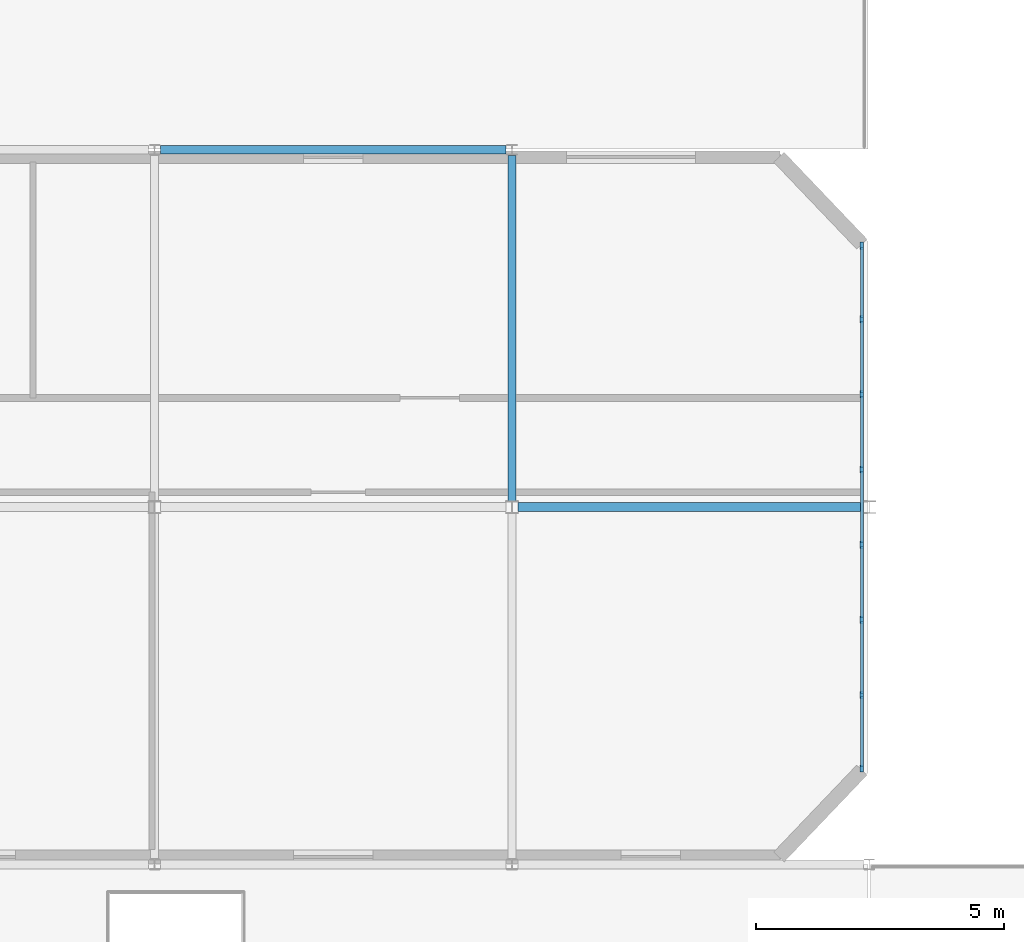
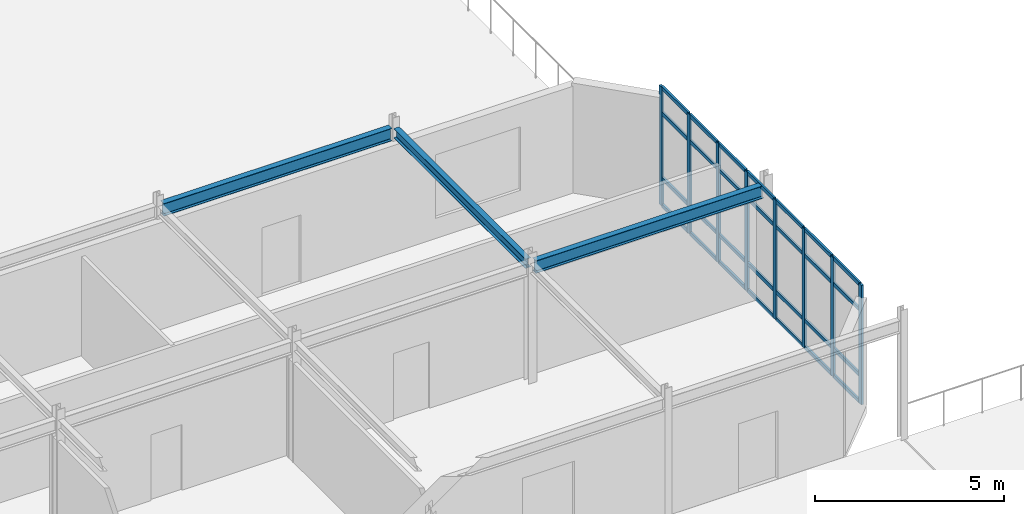
# One storey, part 30 of 85: 36 members, 3 beams, 1 element without a shape of its own.
"""IFC4 building model written with IfcOpenShell, lengths in metres."""

from ifc_helpers import new_model, si_unit, direction, frame, origin, origin_2d, place, context, subcontext, project, spatial, rectangle, i_section, extrude, material, layer, layer_set, material_profile, profile_set, type_object, element, aggregate, save


model = new_model("IFC4")

# Units and contexts
model_context = context("Model", 3, precision=1e-05, world=origin(), true_north=direction((0.0, 1.0)))
body_context = subcontext(model_context, "Body", "Model", "MODEL_VIEW")
ifc_project = project(units=[si_unit("LENGTHUNIT", "METRE"), si_unit("AREAUNIT", "SQUARE_METRE"), si_unit("VOLUMEUNIT", "CUBIC_METRE"), si_unit("PLANEANGLEUNIT", "RADIAN"), si_unit("MASSUNIT", "GRAM", prefix="KILO")], contexts=[model_context])

# Site, building, storey
site_placement = place(None, origin())
site = spatial("IfcSite", under=ifc_project, at=site_placement, CompositionType="ELEMENT")
building_placement = place(site_placement, origin())
building = spatial("IfcBuilding", under=site, at=building_placement, Name="Ochrevale Crest", CompositionType="ELEMENT")
storey_placement = place(building_placement, frame((0.0, 0.0, 4.5)))
storey = spatial("IfcBuildingStorey", under=building, at=storey_placement, Name="L01", CompositionType="ELEMENT", Elevation=4.5)

# Beams
ifc_material_1 = material(Name="Steel S355", Category="steel")
ifc_material_profile_1 = material_profile(ifc_material_1, i_section(OverallWidth=0.1650390625, OverallDepth=0.3037109375, WebThickness=0.006103515625, FlangeThickness=0.01025390625, FilletRadius=0.011474609375, at=origin_2d()), Name="310UB40.4")
ifc_profile_set_1 = profile_set([ifc_material_profile_1], Name="Steel S355")
beam_type_1 = type_object("IfcBeamType", Name="BM-UB310A", PredefinedType="BEAM", material=ifc_profile_set_1)
beam_placement = place(storey_placement, frame((100.800048828125, 86.52001953125, 3.72314453125), z_axis=(0.0, 1.0, 0.0), x_axis=(-1.0, 0.0, 0.0)))
element("IfcBeam", 1, at=beam_placement, inside=storey, type_object=beam_type_1, Name="Nursery L01 transverse steel beam X=100.8", PredefinedType="BEAM", context=body_context, shape_type="SweptSolid", body=[
    extrude(i_section(OverallWidth=0.1650390625, OverallDepth=0.3037109375, WebThickness=0.006103515625, FlangeThickness=0.01025390625, FilletRadius=0.011474609375, at=origin_2d()), origin(), (0.0, 0.0, 1.0), 6.9599609375),
])
ifc_material_profile_2 = material_profile(ifc_material_1, i_section(OverallWidth=0.177734375, OverallDepth=0.406494140625, WebThickness=0.0078125, FlangeThickness=0.0126953125, FilletRadius=0.011474609375, at=origin_2d()), Name="410UB59.7")
ifc_profile_set_2 = profile_set([ifc_material_profile_2], Name="Steel S355")
beam_type_2 = type_object("IfcBeamType", Name="BM-UB410B", PredefinedType="BEAM", material=ifc_profile_set_2)
for number, where, z_axis, x_axis, name in (
    (2, (100.919921875, 86.39990234375, 3.671875), (1.0, 0.0, 0.0), (0.0, 1.0, 0.0), "Nursery L01 steel girder Y=86.4"),
    (3, (93.719970703125, 93.60009765625, 3.671875), (1.0, 0.0, 0.0), (0.0, 1.0, 0.0), "Nursery L01 steel girder Y=93.6"),
):
    element("IfcBeam", number, at=place(storey_placement, frame(where, z_axis=z_axis, x_axis=x_axis)), inside=storey, type_object=beam_type_2, Name=name, PredefinedType="BEAM", context=body_context, shape_type="SweptSolid", body=[
        extrude(i_section(OverallWidth=0.177734375, OverallDepth=0.406494140625, WebThickness=0.0078125, FlangeThickness=0.0126953125, FilletRadius=0.011474609375, at=origin_2d()), origin(), (0.0, 0.0, 1.0), 6.9599609375),
    ])

# Curtain wall, members
ifc_material_2 = material(Name="Anodised aluminium 6063-T5", Category="aluminium")
ifc_layer = layer(ifc_material_2, 0.14990234375)
ifc_layer_set = layer_set([ifc_layer], Name="Anodised aluminium 6063-T5")
curtain_wall_type = type_object("IfcCurtainWallType", Name="CW-NUR-540x385", PredefinedType="NOTDEFINED", material=ifc_layer_set)
curtain_wall_placement = place(storey_placement, origin())
curtain_wall = element("IfcCurtainWall", 4, at=curtain_wall_placement, inside=storey, type_object=curtain_wall_type, Name="Nursery Pavilion E glazed playroom curtain wall", PredefinedType="NOTDEFINED")
ifc_material_profile_3 = material_profile(ifc_material_2, rectangle(XDim=0.06494140625, YDim=0.14990234375, at=origin_2d()), Name="ALU 65x150")
ifc_profile_set_3 = profile_set([ifc_material_profile_3], Name="Anodised aluminium 6063-T5")
member_type_1 = type_object("IfcMemberType", Name="CW-MUL-65x150", PredefinedType="MULLION", material=ifc_profile_set_3)
member_1_placement = place(storey_placement, frame((107.85009765625, 81.132568359375, 0.0), z_axis=(0.0, 0.0, 1.0), x_axis=(-1.0, 0.0, 0.0)))
member_1 = element("IfcMember", 5, at=member_1_placement, type_object=member_type_1, Name="CW10 mullion 1", PredefinedType="MULLION", context=body_context, shape_type="SweptSolid", body=[
    extrude(rectangle(XDim=0.06494140625, YDim=0.14990234375, at=origin_2d()), origin(), (0.0, 0.0, 1.0), 3.85009765625),
])
member_2_placement = place(storey_placement, frame((107.85009765625, 82.6142578125, 0.0), z_axis=(0.0, 0.0, 1.0), x_axis=(-1.0, 0.0, 0.0)))
member_2 = element("IfcMember", 6, at=member_2_placement, type_object=member_type_1, Name="CW10 mullion 2", PredefinedType="MULLION", context=body_context, shape_type="SweptSolid", body=[
    extrude(rectangle(XDim=0.06494140625, YDim=0.14990234375, at=origin_2d()), origin(), (0.0, 0.0, 1.0), 3.85009765625),
])
member_3_placement = place(storey_placement, frame((107.85009765625, 84.128662109375, 0.0), z_axis=(0.0, 0.0, 1.0), x_axis=(-1.0, 0.0, 0.0)))
member_3 = element("IfcMember", 7, at=member_3_placement, type_object=member_type_1, Name="CW10 mullion 3", PredefinedType="MULLION", context=body_context, shape_type="SweptSolid", body=[
    extrude(rectangle(XDim=0.06494140625, YDim=0.14990234375, at=origin_2d()), origin(), (0.0, 0.0, 1.0), 3.85009765625),
])
member_4_placement = place(storey_placement, frame((107.85009765625, 85.642822265625, 0.0), z_axis=(0.0, 0.0, 1.0), x_axis=(-1.0, 0.0, 0.0)))
member_4 = element("IfcMember", 8, at=member_4_placement, type_object=member_type_1, Name="CW10 mullion 4", PredefinedType="MULLION", context=body_context, shape_type="SweptSolid", body=[
    extrude(rectangle(XDim=0.06494140625, YDim=0.14990234375, at=origin_2d()), origin(), (0.0, 0.0, 1.0), 3.85009765625),
])
member_5_placement = place(storey_placement, frame((107.85009765625, 87.1572265625, 0.0), z_axis=(0.0, 0.0, 1.0), x_axis=(-1.0, 0.0, 0.0)))
member_5 = element("IfcMember", 9, at=member_5_placement, type_object=member_type_1, Name="CW10 mullion 5", PredefinedType="MULLION", context=body_context, shape_type="SweptSolid", body=[
    extrude(rectangle(XDim=0.06494140625, YDim=0.14990234375, at=origin_2d()), origin(), (0.0, 0.0, 1.0), 3.85009765625),
])
member_6_placement = place(storey_placement, frame((107.85009765625, 88.67138671875, 0.0), z_axis=(0.0, 0.0, 1.0), x_axis=(-1.0, 0.0, 0.0)))
member_6 = element("IfcMember", 10, at=member_6_placement, type_object=member_type_1, Name="CW10 mullion 6", PredefinedType="MULLION", context=body_context, shape_type="SweptSolid", body=[
    extrude(rectangle(XDim=0.06494140625, YDim=0.14990234375, at=origin_2d()), origin(), (0.0, 0.0, 1.0), 3.85009765625),
])
member_7_placement = place(storey_placement, frame((107.85009765625, 90.185791015625, 0.0), z_axis=(0.0, 0.0, 1.0), x_axis=(-1.0, 0.0, 0.0)))
member_7 = element("IfcMember", 11, at=member_7_placement, type_object=member_type_1, Name="CW10 mullion 7", PredefinedType="MULLION", context=body_context, shape_type="SweptSolid", body=[
    extrude(rectangle(XDim=0.06494140625, YDim=0.14990234375, at=origin_2d()), origin(), (0.0, 0.0, 1.0), 3.85009765625),
])
member_8_placement = place(storey_placement, frame((107.85009765625, 91.66748046875, 0.0), z_axis=(0.0, 0.0, 1.0), x_axis=(-1.0, 0.0, 0.0)))
member_8 = element("IfcMember", 12, at=member_8_placement, type_object=member_type_1, Name="CW10 mullion 8", PredefinedType="MULLION", context=body_context, shape_type="SweptSolid", body=[
    extrude(rectangle(XDim=0.06494140625, YDim=0.14990234375, at=origin_2d()), origin(), (0.0, 0.0, 1.0), 3.85009765625),
])
ifc_material_profile_4 = material_profile(ifc_material_2, rectangle(XDim=0.06005859375, YDim=0.1201171875, at=origin_2d()), Name="ALU 60x120")
ifc_profile_set_4 = profile_set([ifc_material_profile_4], Name="Anodised aluminium 6063-T5")
member_type_2 = type_object("IfcMemberType", Name="CW-TRN-60x120", PredefinedType="USERDEFINED", material=ifc_profile_set_4)
member_9_placement = place(storey_placement, frame((107.85009765625, 81.1650390625, 0.030029296875), z_axis=(0.0, 1.0, 0.0), x_axis=(-1.0, 0.0, 0.0)))
member_9 = element("IfcMember", 13, at=member_9_placement, type_object=member_type_2, Name="CW10 transom 1.1", ObjectType="TRANSOM", PredefinedType="USERDEFINED", context=body_context, shape_type="SweptSolid", body=[
    extrude(rectangle(XDim=0.06005859375, YDim=0.1201171875, at=origin_2d()), origin(), (0.0, 0.0, 1.0), 1.416748046875),
])
member_10_placement = place(storey_placement, frame((107.85009765625, 81.1650390625, 0.89990234375), z_axis=(0.0, 1.0, 0.0), x_axis=(-1.0, 0.0, 0.0)))
member_10 = element("IfcMember", 14, at=member_10_placement, type_object=member_type_2, Name="CW10 transom 1.2", ObjectType="TRANSOM", PredefinedType="USERDEFINED", context=body_context, shape_type="SweptSolid", body=[
    extrude(rectangle(XDim=0.06005859375, YDim=0.1201171875, at=origin_2d()), origin(), (0.0, 0.0, 1.0), 1.416748046875),
])
member_11_placement = place(storey_placement, frame((107.85009765625, 81.1650390625, 3.0), z_axis=(0.0, 1.0, 0.0), x_axis=(-1.0, 0.0, 0.0)))
member_11 = element("IfcMember", 15, at=member_11_placement, type_object=member_type_2, Name="CW10 transom 1.3", ObjectType="TRANSOM", PredefinedType="USERDEFINED", context=body_context, shape_type="SweptSolid", body=[
    extrude(rectangle(XDim=0.06005859375, YDim=0.1201171875, at=origin_2d()), origin(), (0.0, 0.0, 1.0), 1.416748046875),
])
member_12_placement = place(storey_placement, frame((107.85009765625, 81.1650390625, 3.820068359375), z_axis=(0.0, 1.0, 0.0), x_axis=(-1.0, 0.0, 0.0)))
member_12 = element("IfcMember", 16, at=member_12_placement, type_object=member_type_2, Name="CW10 transom 1.4", ObjectType="TRANSOM", PredefinedType="USERDEFINED", context=body_context, shape_type="SweptSolid", body=[
    extrude(rectangle(XDim=0.06005859375, YDim=0.1201171875, at=origin_2d()), origin(), (0.0, 0.0, 1.0), 1.416748046875),
])
member_13_placement = place(storey_placement, frame((107.85009765625, 82.646728515625, 0.030029296875), z_axis=(0.0, 1.0, 0.0), x_axis=(-1.0, 0.0, 0.0)))
member_13 = element("IfcMember", 17, at=member_13_placement, type_object=member_type_2, Name="CW10 transom 2.1", ObjectType="TRANSOM", PredefinedType="USERDEFINED", context=body_context, shape_type="SweptSolid", body=[
    extrude(rectangle(XDim=0.06005859375, YDim=0.1201171875, at=origin_2d()), origin(), (0.0, 0.0, 1.0), 1.449462890625),
])
member_14_placement = place(storey_placement, frame((107.85009765625, 82.646728515625, 0.89990234375), z_axis=(0.0, 1.0, 0.0), x_axis=(-1.0, 0.0, 0.0)))
member_14 = element("IfcMember", 18, at=member_14_placement, type_object=member_type_2, Name="CW10 transom 2.2", ObjectType="TRANSOM", PredefinedType="USERDEFINED", context=body_context, shape_type="SweptSolid", body=[
    extrude(rectangle(XDim=0.06005859375, YDim=0.1201171875, at=origin_2d()), origin(), (0.0, 0.0, 1.0), 1.449462890625),
])
member_15_placement = place(storey_placement, frame((107.85009765625, 82.646728515625, 3.0), z_axis=(0.0, 1.0, 0.0), x_axis=(-1.0, 0.0, 0.0)))
member_15 = element("IfcMember", 19, at=member_15_placement, type_object=member_type_2, Name="CW10 transom 2.3", ObjectType="TRANSOM", PredefinedType="USERDEFINED", context=body_context, shape_type="SweptSolid", body=[
    extrude(rectangle(XDim=0.06005859375, YDim=0.1201171875, at=origin_2d()), origin(), (0.0, 0.0, 1.0), 1.449462890625),
])
member_16_placement = place(storey_placement, frame((107.85009765625, 82.646728515625, 3.820068359375), z_axis=(0.0, 1.0, 0.0), x_axis=(-1.0, 0.0, 0.0)))
member_16 = element("IfcMember", 20, at=member_16_placement, type_object=member_type_2, Name="CW10 transom 2.4", ObjectType="TRANSOM", PredefinedType="USERDEFINED", context=body_context, shape_type="SweptSolid", body=[
    extrude(rectangle(XDim=0.06005859375, YDim=0.1201171875, at=origin_2d()), origin(), (0.0, 0.0, 1.0), 1.449462890625),
])
member_17_placement = place(storey_placement, frame((107.85009765625, 84.1611328125, 0.030029296875), z_axis=(0.0, 1.0, 0.0), x_axis=(-1.0, 0.0, 0.0)))
member_17 = element("IfcMember", 21, at=member_17_placement, type_object=member_type_2, Name="CW10 transom 3.1", ObjectType="TRANSOM", PredefinedType="USERDEFINED", context=body_context, shape_type="SweptSolid", body=[
    extrude(rectangle(XDim=0.06005859375, YDim=0.1201171875, at=origin_2d()), origin(), (0.0, 0.0, 1.0), 1.44921875),
])
member_18_placement = place(storey_placement, frame((107.85009765625, 84.1611328125, 0.89990234375), z_axis=(0.0, 1.0, 0.0), x_axis=(-1.0, 0.0, 0.0)))
member_18 = element("IfcMember", 22, at=member_18_placement, type_object=member_type_2, Name="CW10 transom 3.2", ObjectType="TRANSOM", PredefinedType="USERDEFINED", context=body_context, shape_type="SweptSolid", body=[
    extrude(rectangle(XDim=0.06005859375, YDim=0.1201171875, at=origin_2d()), origin(), (0.0, 0.0, 1.0), 1.44921875),
])
member_19_placement = place(storey_placement, frame((107.85009765625, 84.1611328125, 3.0), z_axis=(0.0, 1.0, 0.0), x_axis=(-1.0, 0.0, 0.0)))
member_19 = element("IfcMember", 23, at=member_19_placement, type_object=member_type_2, Name="CW10 transom 3.3", ObjectType="TRANSOM", PredefinedType="USERDEFINED", context=body_context, shape_type="SweptSolid", body=[
    extrude(rectangle(XDim=0.06005859375, YDim=0.1201171875, at=origin_2d()), origin(), (0.0, 0.0, 1.0), 1.44921875),
])
member_20_placement = place(storey_placement, frame((107.85009765625, 84.1611328125, 3.820068359375), z_axis=(0.0, 1.0, 0.0), x_axis=(-1.0, 0.0, 0.0)))
member_20 = element("IfcMember", 24, at=member_20_placement, type_object=member_type_2, Name="CW10 transom 3.4", ObjectType="TRANSOM", PredefinedType="USERDEFINED", context=body_context, shape_type="SweptSolid", body=[
    extrude(rectangle(XDim=0.06005859375, YDim=0.1201171875, at=origin_2d()), origin(), (0.0, 0.0, 1.0), 1.44921875),
])
member_21_placement = place(storey_placement, frame((107.85009765625, 85.67529296875, 0.030029296875), z_axis=(0.0, 1.0, 0.0), x_axis=(-1.0, 0.0, 0.0)))
member_21 = element("IfcMember", 25, at=member_21_placement, type_object=member_type_2, Name="CW10 transom 4.1", ObjectType="TRANSOM", PredefinedType="USERDEFINED", context=body_context, shape_type="SweptSolid", body=[
    extrude(rectangle(XDim=0.06005859375, YDim=0.1201171875, at=origin_2d()), origin(), (0.0, 0.0, 1.0), 1.449462890625),
])
member_22_placement = place(storey_placement, frame((107.85009765625, 85.67529296875, 0.89990234375), z_axis=(0.0, 1.0, 0.0), x_axis=(-1.0, 0.0, 0.0)))
member_22 = element("IfcMember", 26, at=member_22_placement, type_object=member_type_2, Name="CW10 transom 4.2", ObjectType="TRANSOM", PredefinedType="USERDEFINED", context=body_context, shape_type="SweptSolid", body=[
    extrude(rectangle(XDim=0.06005859375, YDim=0.1201171875, at=origin_2d()), origin(), (0.0, 0.0, 1.0), 1.449462890625),
])
member_23_placement = place(storey_placement, frame((107.85009765625, 85.67529296875, 3.0), z_axis=(0.0, 1.0, 0.0), x_axis=(-1.0, 0.0, 0.0)))
member_23 = element("IfcMember", 27, at=member_23_placement, type_object=member_type_2, Name="CW10 transom 4.3", ObjectType="TRANSOM", PredefinedType="USERDEFINED", context=body_context, shape_type="SweptSolid", body=[
    extrude(rectangle(XDim=0.06005859375, YDim=0.1201171875, at=origin_2d()), origin(), (0.0, 0.0, 1.0), 1.449462890625),
])
member_24_placement = place(storey_placement, frame((107.85009765625, 85.67529296875, 3.820068359375), z_axis=(0.0, 1.0, 0.0), x_axis=(-1.0, 0.0, 0.0)))
member_24 = element("IfcMember", 28, at=member_24_placement, type_object=member_type_2, Name="CW10 transom 4.4", ObjectType="TRANSOM", PredefinedType="USERDEFINED", context=body_context, shape_type="SweptSolid", body=[
    extrude(rectangle(XDim=0.06005859375, YDim=0.1201171875, at=origin_2d()), origin(), (0.0, 0.0, 1.0), 1.449462890625),
])
member_25_placement = place(storey_placement, frame((107.85009765625, 87.189697265625, 0.030029296875), z_axis=(0.0, 1.0, 0.0), x_axis=(-1.0, 0.0, 0.0)))
member_25 = element("IfcMember", 29, at=member_25_placement, type_object=member_type_2, Name="CW10 transom 5.1", ObjectType="TRANSOM", PredefinedType="USERDEFINED", context=body_context, shape_type="SweptSolid", body=[
    extrude(rectangle(XDim=0.06005859375, YDim=0.1201171875, at=origin_2d()), origin(), (0.0, 0.0, 1.0), 1.44921875),
])
member_26_placement = place(storey_placement, frame((107.85009765625, 87.189697265625, 0.89990234375), z_axis=(0.0, 1.0, 0.0), x_axis=(-1.0, 0.0, 0.0)))
member_26 = element("IfcMember", 30, at=member_26_placement, type_object=member_type_2, Name="CW10 transom 5.2", ObjectType="TRANSOM", PredefinedType="USERDEFINED", context=body_context, shape_type="SweptSolid", body=[
    extrude(rectangle(XDim=0.06005859375, YDim=0.1201171875, at=origin_2d()), origin(), (0.0, 0.0, 1.0), 1.44921875),
])
member_27_placement = place(storey_placement, frame((107.85009765625, 87.189697265625, 3.0), z_axis=(0.0, 1.0, 0.0), x_axis=(-1.0, 0.0, 0.0)))
member_27 = element("IfcMember", 31, at=member_27_placement, type_object=member_type_2, Name="CW10 transom 5.3", ObjectType="TRANSOM", PredefinedType="USERDEFINED", context=body_context, shape_type="SweptSolid", body=[
    extrude(rectangle(XDim=0.06005859375, YDim=0.1201171875, at=origin_2d()), origin(), (0.0, 0.0, 1.0), 1.44921875),
])
member_28_placement = place(storey_placement, frame((107.85009765625, 87.189697265625, 3.820068359375), z_axis=(0.0, 1.0, 0.0), x_axis=(-1.0, 0.0, 0.0)))
member_28 = element("IfcMember", 32, at=member_28_placement, type_object=member_type_2, Name="CW10 transom 5.4", ObjectType="TRANSOM", PredefinedType="USERDEFINED", context=body_context, shape_type="SweptSolid", body=[
    extrude(rectangle(XDim=0.06005859375, YDim=0.1201171875, at=origin_2d()), origin(), (0.0, 0.0, 1.0), 1.44921875),
])
member_29_placement = place(storey_placement, frame((107.85009765625, 88.703857421875, 0.030029296875), z_axis=(0.0, 1.0, 0.0), x_axis=(-1.0, 0.0, 0.0)))
member_29 = element("IfcMember", 33, at=member_29_placement, type_object=member_type_2, Name="CW10 transom 6.1", ObjectType="TRANSOM", PredefinedType="USERDEFINED", context=body_context, shape_type="SweptSolid", body=[
    extrude(rectangle(XDim=0.06005859375, YDim=0.1201171875, at=origin_2d()), origin(), (0.0, 0.0, 1.0), 1.449462890625),
])
member_30_placement = place(storey_placement, frame((107.85009765625, 88.703857421875, 0.89990234375), z_axis=(0.0, 1.0, 0.0), x_axis=(-1.0, 0.0, 0.0)))
member_30 = element("IfcMember", 34, at=member_30_placement, type_object=member_type_2, Name="CW10 transom 6.2", ObjectType="TRANSOM", PredefinedType="USERDEFINED", context=body_context, shape_type="SweptSolid", body=[
    extrude(rectangle(XDim=0.06005859375, YDim=0.1201171875, at=origin_2d()), origin(), (0.0, 0.0, 1.0), 1.449462890625),
])
member_31_placement = place(storey_placement, frame((107.85009765625, 88.703857421875, 3.0), z_axis=(0.0, 1.0, 0.0), x_axis=(-1.0, 0.0, 0.0)))
member_31 = element("IfcMember", 35, at=member_31_placement, type_object=member_type_2, Name="CW10 transom 6.3", ObjectType="TRANSOM", PredefinedType="USERDEFINED", context=body_context, shape_type="SweptSolid", body=[
    extrude(rectangle(XDim=0.06005859375, YDim=0.1201171875, at=origin_2d()), origin(), (0.0, 0.0, 1.0), 1.449462890625),
])
member_32_placement = place(storey_placement, frame((107.85009765625, 88.703857421875, 3.820068359375), z_axis=(0.0, 1.0, 0.0), x_axis=(-1.0, 0.0, 0.0)))
member_32 = element("IfcMember", 36, at=member_32_placement, type_object=member_type_2, Name="CW10 transom 6.4", ObjectType="TRANSOM", PredefinedType="USERDEFINED", context=body_context, shape_type="SweptSolid", body=[
    extrude(rectangle(XDim=0.06005859375, YDim=0.1201171875, at=origin_2d()), origin(), (0.0, 0.0, 1.0), 1.449462890625),
])
member_33_placement = place(storey_placement, frame((107.85009765625, 90.21826171875, 0.030029296875), z_axis=(0.0, 1.0, 0.0), x_axis=(-1.0, 0.0, 0.0)))
member_33 = element("IfcMember", 37, at=member_33_placement, type_object=member_type_2, Name="CW10 transom 7.1", ObjectType="TRANSOM", PredefinedType="USERDEFINED", context=body_context, shape_type="SweptSolid", body=[
    extrude(rectangle(XDim=0.06005859375, YDim=0.1201171875, at=origin_2d()), origin(), (0.0, 0.0, 1.0), 1.416748046875),
])
member_34_placement = place(storey_placement, frame((107.85009765625, 90.21826171875, 0.89990234375), z_axis=(0.0, 1.0, 0.0), x_axis=(-1.0, 0.0, 0.0)))
member_34 = element("IfcMember", 38, at=member_34_placement, type_object=member_type_2, Name="CW10 transom 7.2", ObjectType="TRANSOM", PredefinedType="USERDEFINED", context=body_context, shape_type="SweptSolid", body=[
    extrude(rectangle(XDim=0.06005859375, YDim=0.1201171875, at=origin_2d()), origin(), (0.0, 0.0, 1.0), 1.416748046875),
])
member_35_placement = place(storey_placement, frame((107.85009765625, 90.21826171875, 3.0), z_axis=(0.0, 1.0, 0.0), x_axis=(-1.0, 0.0, 0.0)))
member_35 = element("IfcMember", 39, at=member_35_placement, type_object=member_type_2, Name="CW10 transom 7.3", ObjectType="TRANSOM", PredefinedType="USERDEFINED", context=body_context, shape_type="SweptSolid", body=[
    extrude(rectangle(XDim=0.06005859375, YDim=0.1201171875, at=origin_2d()), origin(), (0.0, 0.0, 1.0), 1.416748046875),
])
member_36_placement = place(storey_placement, frame((107.85009765625, 90.21826171875, 3.820068359375), z_axis=(0.0, 1.0, 0.0), x_axis=(-1.0, 0.0, 0.0)))
member_36 = element("IfcMember", 40, at=member_36_placement, type_object=member_type_2, Name="CW10 transom 7.4", ObjectType="TRANSOM", PredefinedType="USERDEFINED", context=body_context, shape_type="SweptSolid", body=[
    extrude(rectangle(XDim=0.06005859375, YDim=0.1201171875, at=origin_2d()), origin(), (0.0, 0.0, 1.0), 1.416748046875),
])
aggregate(curtain_wall, [member_1, member_2, member_3, member_4, member_5, member_6, member_7, member_8, member_9, member_10, member_11, member_12, member_13, member_14, member_15, member_16, member_17, member_18, member_19, member_20, member_21, member_22, member_23, member_24, member_25, member_26, member_27, member_28, member_29, member_30, member_31, member_32, member_33, member_34, member_35, member_36])

save(model, "model.ifc")
